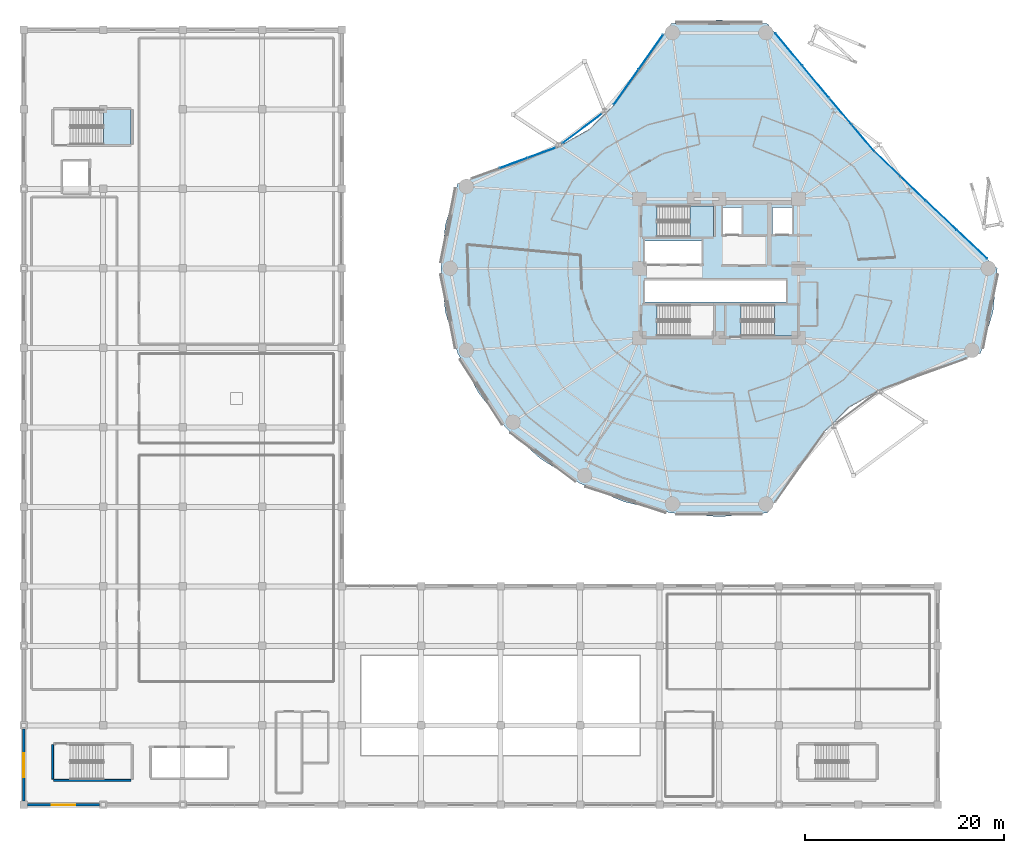
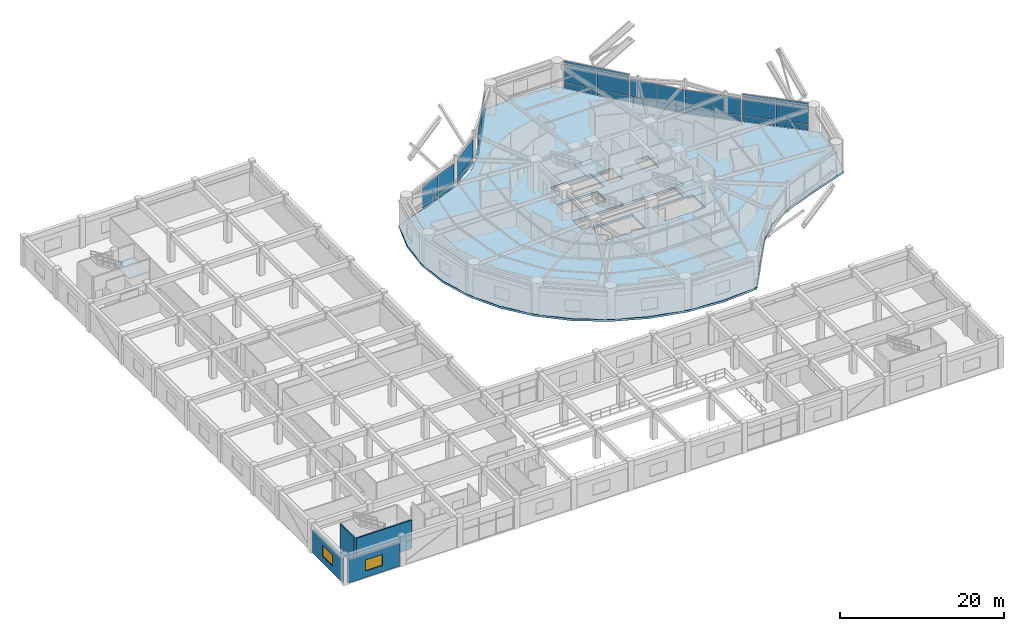
# One storey, part 39 of 55: 30 plates, 4 slabs, 4 walls, 2 windows, 2 openings, 10 elements without a shape of their own.
"""IFC4 building model written with IfcOpenShell, lengths in metres."""

from ifc_helpers import new_model, si_unit, direction, frame, frame_2d, origin, origin_2d, place, context, subcontext, project, spatial, polyline, rectangle, outline, extrude, source, transform, mapped, material, layer, layer_set, type_object, element, fill, aggregate, save


model = new_model("IFC4")

# Units and contexts
model_context = context("Model", 3, precision=1e-05, world=origin(), true_north=direction((0.0, 1.0)))
body_context = subcontext(model_context, "Body", "Model", "MODEL_VIEW")
ifc_project = project(units=[si_unit("LENGTHUNIT", "METRE"), si_unit("AREAUNIT", "SQUARE_METRE"), si_unit("VOLUMEUNIT", "CUBIC_METRE"), si_unit("PLANEANGLEUNIT", "RADIAN"), si_unit("MASSUNIT", "GRAM", prefix="KILO")], contexts=[model_context])

# Site, building, storey
site_placement = place(None, origin())
site = spatial("IfcSite", under=ifc_project, at=site_placement, CompositionType="ELEMENT")
building_placement = place(site_placement, origin())
building = spatial("IfcBuilding", under=site, at=building_placement, Name="Kelanora Arch Commons", CompositionType="ELEMENT")
storey_placement = place(building_placement, frame((0.0, 0.0, 4.5)))
storey = spatial("IfcBuildingStorey", under=building, at=storey_placement, Name="L01", CompositionType="ELEMENT", Elevation=4.5)

# Stair, slab
ifc_material_1 = material(Name="Concrete C40/50", Category="concrete")
stair_type = type_object("IfcStairType", Name="STR-DL-450", PredefinedType="HALF_TURN_STAIR", material=ifc_material_1)
stair_1_placement = place(storey_placement, origin())
stair_1 = element("IfcStair", 1, at=stair_1_placement, inside=storey, type_object=stair_type, Name="L01 ST-T1", PredefinedType="HALF_TURN_STAIR")
ifc_layer_1 = layer(ifc_material_1, 0.199951171875)
ifc_layer_set_1 = layer_set([ifc_layer_1], Name="Concrete C40/50")
slab_type_1 = type_object("IfcSlabType", Name="SLB-STAIR-LND", PredefinedType="LANDING", material=ifc_layer_set_1)
slab_1_placement = place(storey_placement, frame((0.0, 0.0, 2.050048828125)))
slab_1 = element("IfcSlab", 2, at=slab_1_placement, type_object=slab_type_1, Name="ST-T1 landing 1", PredefinedType="LANDING", context=body_context, shape_type="SweptSolid", body=[
    extrude(outline(polyline([(71.080078125, 61.179931640625), (73.43994140625, 61.179931640625), (73.43994140625, 64.2900390625), (71.080078125, 64.2900390625), (71.080078125, 61.179931640625)])), origin(), (0.0, 0.0, 1.0), 0.199951171875),
])
aggregate(stair_1, [slab_1])

stair_2_placement = place(storey_placement, origin())
stair_2 = element("IfcStair", 3, at=stair_2_placement, inside=storey, type_object=stair_type, Name="L01 ST-T2", PredefinedType="HALF_TURN_STAIR")
slab_2_placement = place(storey_placement, frame((0.0, 0.0, 2.050048828125)))
slab_2 = element("IfcSlab", 4, at=slab_2_placement, type_object=slab_type_1, Name="ST-T2 landing 1", PredefinedType="LANDING", context=body_context, shape_type="SweptSolid", body=[
    extrude(outline(polyline([(79.56005859375, 51.179931640625), (81.919921875, 51.179931640625), (81.919921875, 54.2900390625), (79.56005859375, 54.2900390625), (79.56005859375, 51.179931640625)])), origin(), (0.0, 0.0, 1.0), 0.199951171875),
])
aggregate(stair_2, [slab_2])

stair_3_placement = place(storey_placement, origin())
stair_3 = element("IfcStair", 5, at=stair_3_placement, inside=storey, type_object=stair_type, Name="L01 ST-M3", PredefinedType="HALF_TURN_STAIR")
slab_3_placement = place(storey_placement, frame((0.0, 0.0, 2.050048828125)))
slab_3 = element("IfcSlab", 6, at=slab_3_placement, type_object=slab_type_1, Name="ST-M3 landing 1", PredefinedType="LANDING", context=body_context, shape_type="SweptSolid", body=[
    extrude(outline(polyline([(12.0400390625, 70.47998046875), (14.800048828125, 70.47998046875), (14.800048828125, 73.989990234375), (12.0400390625, 73.989990234375), (12.0400390625, 70.47998046875)])), origin(), (0.0, 0.0, 1.0), 0.199951171875),
])
aggregate(stair_3, [slab_3])

# Slab
ifc_layer_2 = layer(ifc_material_1, 0.300048828125)
ifc_layer_set_2 = layer_set([ifc_layer_2], Name="Concrete C40/50")
slab_type_2 = type_object("IfcSlabType", Name="SLB-TWR-POD", PredefinedType="FLOOR", material=ifc_layer_set_2)
slab_4_placement = place(storey_placement, frame((0.0, 0.0, -0.300048828125)))
element("IfcSlab", 7, at=slab_4_placement, inside=storey, type_object=slab_type_2, Name="Tower Floor Slab L01", PredefinedType="FLOOR", context=body_context, shape_type="SweptSolid", body=[
    extrude(outline(polyline([(102.0, 58.0), (97.9521484375, 61.77099609375), (94.83349609375, 64.770263671875), (92.0791015625, 67.319580078125), (89.657958984375, 69.73095703125), (87.418701171875, 72.2783203125), (85.085205078125, 75.14306640625), (82.318603515625, 78.406005859375), (78.862060546875, 82.6201171875), (74.0, 83.0), (69.137939453125, 82.6201171875), (65.908447265625, 77.849365234375), (63.369140625, 74.4404296875), (60.861328125, 71.980224609375), (57.71240234375, 70.202392578125), (53.51171875, 68.5615234375), (47.688720703125, 66.550537109375), (46.42529296875, 62.34130859375), (46.0, 58.0), (46.42529296875, 53.65869140625), (47.688720703125, 49.449462890625), (49.751220703125, 45.5), (52.55078125, 41.930419921875), (56.001953125, 38.848876953125), (60.0, 36.349365234375), (64.42333984375, 34.5078125), (69.137939453125, 33.3798828125), (74.0, 33.0), (78.862060546875, 33.3798828125), (82.091552734375, 38.150634765625), (84.630859375, 41.5595703125), (87.138671875, 44.019775390625), (90.28759765625, 45.797607421875), (94.48828125, 47.4384765625), (100.311279296875, 49.449462890625), (101.57470703125, 53.65869140625), (102.0, 58.0)]), holes=[polyline([(73.431884765625, 51.18798828125), (67.72802734375, 51.18798828125), (67.72802734375, 54.281982421875), (73.431884765625, 54.281982421875), (73.431884765625, 51.18798828125)]), polyline([(76.2080078125, 51.18798828125), (76.2080078125, 54.281982421875), (81.912109375, 54.281982421875), (81.912109375, 51.18798828125), (76.2080078125, 51.18798828125)]), polyline([(66.550048828125, 54.60009765625), (66.550048828125, 56.800048828125), (80.75, 56.800048828125), (80.75, 54.60009765625), (66.550048828125, 54.60009765625)]), polyline([(66.550048828125, 58.449951171875), (66.550048828125, 60.75), (72.25, 60.75), (72.25, 58.449951171875), (66.550048828125, 58.449951171875)]), polyline([(67.72802734375, 61.18798828125), (67.72802734375, 64.281982421875), (73.431884765625, 64.281982421875), (73.431884765625, 61.18798828125), (67.72802734375, 61.18798828125)]), polyline([(74.3798828125, 61.47998046875), (74.3798828125, 64.1201171875), (76.260009765625, 64.1201171875), (76.260009765625, 61.47998046875), (74.3798828125, 61.47998046875)]), polyline([(79.3798828125, 61.47998046875), (79.3798828125, 64.1201171875), (81.320068359375, 64.1201171875), (81.320068359375, 61.47998046875), (79.3798828125, 61.47998046875)])]), origin(), (0.0, 0.0, 1.0), 0.300048828125),
])

# Curtain wall, plates
ifc_material_2 = material(Name="Terracotta ceramic-fritted low-E glass and aluminium", Category="masonry")
ifc_layer_3 = layer(ifc_material_2, 0.2099609375)
ifc_layer_set_3 = layer_set([ifc_layer_3], Name="Terracotta ceramic-fritted low-E glass and aluminium")
curtain_wall_type = type_object("IfcCurtainWallType", Name="CW-SYS-04", PredefinedType="NOTDEFINED", material=ifc_layer_set_3)
curtain_wall_1_placement = place(storey_placement, origin())
curtain_wall_1 = element("IfcCurtainWall", 8, at=curtain_wall_1_placement, inside=storey, type_object=curtain_wall_type, Name="Unitised Curtain Wall L01-B06", PredefinedType="NOTDEFINED")
ifc_material_3 = material(Name="Clear laminated solar-control double glazing", Category="glass")
ifc_layer_4 = layer(ifc_material_3, 0.033935546875)
ifc_layer_set_4 = layer_set([ifc_layer_4], Name="Clear laminated solar-control double glazing")
plate_type = type_object("IfcPlateType", Name="CWP-CLR", PredefinedType="CURTAIN_PANEL", material=ifc_layer_set_4)
shared_shape_1 = source(origin(), body_context, "Body", "SweptSolid", [
    extrude(rectangle(XDim=4.849609375, YDim=0.033935546875, at=origin_2d()), origin(), (0.0, 0.0, 1.0), 0.81005859375),
])
plate_1_placement = place(storey_placement, frame((60.20458984375, 72.069580078125, 0.06005859375), z_axis=(0.0, 0.0, 1.0), x_axis=(-0.80030897426, -0.599587813185, 0.0)))
plate_1 = element("IfcPlate", 9, at=plate_1_placement, type_object=plate_type, Name="CW-04 panel 1.1", PredefinedType="CURTAIN_PANEL", context=body_context, shape_type="MappedRepresentation", body=[
    mapped(shared_shape_1, transform((0.0, 0.0, 0.0), scale=1.0)),
])
shared_shape_2 = source(origin(), body_context, "Body", "SweptSolid", [
    extrude(rectangle(XDim=4.849609375, YDim=0.033935546875, at=origin_2d()), origin(), (0.0, 0.0, 1.0), 2.590087890625),
])
plate_2_placement = place(storey_placement, frame((60.20458984375, 72.069580078125, 0.93017578125), z_axis=(0.0, 0.0, 1.0), x_axis=(-0.80030897426, -0.599587813185, 0.0)))
plate_2 = element("IfcPlate", 10, at=plate_2_placement, type_object=plate_type, Name="CW-04 panel 1.2", PredefinedType="CURTAIN_PANEL", context=body_context, shape_type="MappedRepresentation", body=[
    mapped(shared_shape_2, transform((0.0, 0.0, 0.0), scale=1.0)),
])
aggregate(curtain_wall_1, [plate_1, plate_2])

curtain_wall_2_placement = place(storey_placement, origin())
curtain_wall_2 = element("IfcCurtainWall", 11, at=curtain_wall_2_placement, inside=storey, type_object=curtain_wall_type, Name="Unitised Curtain Wall L01-B00", PredefinedType="NOTDEFINED")
shared_shape_3 = source(origin(), body_context, "Body", "SweptSolid", [
    extrude(rectangle(XDim=4.146240234375, YDim=0.033935546875, at=origin_2d()), origin(), (0.0, 0.0, 1.0), 0.81005859375),
])
plate_3_placement = place(storey_placement, frame((99.452392578125, 60.40673828125, 0.06005859375), z_axis=(0.0, 0.0, 1.0), x_axis=(-0.72692182078, 0.686720224308, 0.0)))
plate_3 = element("IfcPlate", 12, at=plate_3_placement, type_object=plate_type, Name="CW-04 panel 1.1", PredefinedType="CURTAIN_PANEL", context=body_context, shape_type="MappedRepresentation", body=[
    mapped(shared_shape_3, transform((0.0, 0.0, 0.0), scale=1.0)),
])
plate_4_placement = place(storey_placement, frame((96.394775390625, 63.295166015625, 0.06005859375), z_axis=(0.0, 0.0, 1.0), x_axis=(-0.72692182078, 0.686720224308, 0.0)))
plate_4 = element("IfcPlate", 13, at=plate_4_placement, type_object=plate_type, Name="CW-04 panel 2.1", PredefinedType="CURTAIN_PANEL", context=body_context, shape_type="MappedRepresentation", body=[
    mapped(shared_shape_3, transform((0.0, 0.0, 0.0), scale=1.0)),
])
shared_shape_4 = source(origin(), body_context, "Body", "SweptSolid", [
    extrude(rectangle(XDim=4.146240234375, YDim=0.033935546875, at=origin_2d()), origin(), (0.0, 0.0, 1.0), 2.72509765625),
])
plate_5_placement = place(storey_placement, frame((99.452392578125, 60.40673828125, 0.929931640625), z_axis=(0.0, 0.0, 1.0), x_axis=(-0.72692182078, 0.686720224308, 0.0)))
plate_5 = element("IfcPlate", 14, at=plate_5_placement, type_object=plate_type, Name="CW-04 panel 1.2", PredefinedType="CURTAIN_PANEL", context=body_context, shape_type="MappedRepresentation", body=[
    mapped(shared_shape_4, transform((0.0, 0.0, 0.0), scale=1.0)),
])
plate_6_placement = place(storey_placement, frame((96.394775390625, 63.295166015625, 0.929931640625), z_axis=(0.0, 0.0, 1.0), x_axis=(-0.72692182078, 0.686720224308, 0.0)))
plate_6 = element("IfcPlate", 15, at=plate_6_placement, type_object=plate_type, Name="CW-04 panel 2.2", PredefinedType="CURTAIN_PANEL", context=body_context, shape_type="MappedRepresentation", body=[
    mapped(shared_shape_4, transform((0.0, 0.0, 0.0), scale=1.0)),
])
shared_shape_5 = source(origin(), body_context, "Body", "SweptSolid", [
    extrude(rectangle(XDim=4.146240234375, YDim=0.033935546875, at=origin_2d()), origin(), (0.0, 0.0, 1.0), 0.409912109375),
])
plate_7_placement = place(storey_placement, frame((99.452392578125, 60.40673828125, 3.71484375), z_axis=(0.0, 0.0, 1.0), x_axis=(-0.72692182078, 0.686720224308, 0.0)))
plate_7 = element("IfcPlate", 16, at=plate_7_placement, type_object=plate_type, Name="CW-04 panel 1.3", PredefinedType="CURTAIN_PANEL", context=body_context, shape_type="MappedRepresentation", body=[
    mapped(shared_shape_5, transform((0.0, 0.0, 0.0), scale=1.0)),
])
plate_8_placement = place(storey_placement, frame((96.394775390625, 63.295166015625, 3.71484375), z_axis=(0.0, 0.0, 1.0), x_axis=(-0.72692182078, 0.686720224308, 0.0)))
plate_8 = element("IfcPlate", 17, at=plate_8_placement, type_object=plate_type, Name="CW-04 panel 2.3", PredefinedType="CURTAIN_PANEL", context=body_context, shape_type="MappedRepresentation", body=[
    mapped(shared_shape_5, transform((0.0, 0.0, 0.0), scale=1.0)),
])
aggregate(curtain_wall_2, [plate_3, plate_5, plate_7, plate_4, plate_6, plate_8])

curtain_wall_3_placement = place(storey_placement, origin())
curtain_wall_3 = element("IfcCurtainWall", 18, at=curtain_wall_3_placement, inside=storey, type_object=curtain_wall_type, Name="Unitised Curtain Wall L01-B01", PredefinedType="NOTDEFINED")
shared_shape_6 = source(origin(), body_context, "Body", "SweptSolid", [
    extrude(rectangle(XDim=3.4794921875, YDim=0.033935546875, at=origin_2d()), origin(), (0.0, 0.0, 1.0), 0.81005859375),
])
plate_9_placement = place(storey_placement, frame((93.523193359375, 66.026123046875, 0.06005859375), z_axis=(0.0, 0.0, 1.0), x_axis=(-0.721943011302, 0.691952518914, 0.0)))
plate_9 = element("IfcPlate", 19, at=plate_9_placement, type_object=plate_type, Name="CW-04 panel 1.1", PredefinedType="CURTAIN_PANEL", context=body_context, shape_type="MappedRepresentation", body=[
    mapped(shared_shape_6, transform((0.0, 0.0, 0.0), scale=1.0)),
])
plate_10_placement = place(storey_placement, frame((90.968017578125, 68.47509765625, 0.06005859375), z_axis=(0.0, 0.0, 1.0), x_axis=(-0.721943011302, 0.691952518914, 0.0)))
plate_10 = element("IfcPlate", 20, at=plate_10_placement, type_object=plate_type, Name="CW-04 panel 2.1", PredefinedType="CURTAIN_PANEL", context=body_context, shape_type="MappedRepresentation", body=[
    mapped(shared_shape_6, transform((0.0, 0.0, 0.0), scale=1.0)),
])
shared_shape_7 = source(origin(), body_context, "Body", "SweptSolid", [
    extrude(rectangle(XDim=3.4794921875, YDim=0.033935546875, at=origin_2d()), origin(), (0.0, 0.0, 1.0), 2.590087890625),
])
plate_11_placement = place(storey_placement, frame((93.523193359375, 66.026123046875, 0.93017578125), z_axis=(0.0, 0.0, 1.0), x_axis=(-0.721943011302, 0.691952518914, 0.0)))
plate_11 = element("IfcPlate", 21, at=plate_11_placement, type_object=plate_type, Name="CW-04 panel 1.2", PredefinedType="CURTAIN_PANEL", context=body_context, shape_type="MappedRepresentation", body=[
    mapped(shared_shape_7, transform((0.0, 0.0, 0.0), scale=1.0)),
])
plate_12_placement = place(storey_placement, frame((90.968017578125, 68.47509765625, 0.93017578125), z_axis=(0.0, 0.0, 1.0), x_axis=(-0.721943011302, 0.691952518914, 0.0)))
plate_12 = element("IfcPlate", 22, at=plate_12_placement, type_object=plate_type, Name="CW-04 panel 2.2", PredefinedType="CURTAIN_PANEL", context=body_context, shape_type="MappedRepresentation", body=[
    mapped(shared_shape_7, transform((0.0, 0.0, 0.0), scale=1.0)),
])
aggregate(curtain_wall_3, [plate_9, plate_11, plate_10, plate_12])

curtain_wall_4_placement = place(storey_placement, origin())
curtain_wall_4 = element("IfcCurtainWall", 23, at=curtain_wall_4_placement, inside=storey, type_object=curtain_wall_type, Name="Unitised Curtain Wall L01-B02", PredefinedType="NOTDEFINED")
shared_shape_8 = source(origin(), body_context, "Body", "SweptSolid", [
    extrude(rectangle(XDim=3.4375, YDim=0.033935546875, at=origin_2d()), origin(), (0.0, 0.0, 1.0), 0.81005859375),
])
plate_13_placement = place(storey_placement, frame((88.500244140625, 71.10107421875, 0.06005859375), z_axis=(0.0, 0.0, 1.0), x_axis=(-0.645388011752, 0.763854903949, 0.0)))
plate_13 = element("IfcPlate", 24, at=plate_13_placement, type_object=plate_type, Name="CW-04 panel 1.1", PredefinedType="CURTAIN_PANEL", context=body_context, shape_type="MappedRepresentation", body=[
    mapped(shared_shape_8, transform((0.0, 0.0, 0.0), scale=1.0)),
])
plate_14_placement = place(storey_placement, frame((86.242919921875, 73.772705078125, 0.06005859375), z_axis=(0.0, 0.0, 1.0), x_axis=(-0.645388011752, 0.763854903949, 0.0)))
plate_14 = element("IfcPlate", 25, at=plate_14_placement, type_object=plate_type, Name="CW-04 panel 2.1", PredefinedType="CURTAIN_PANEL", context=body_context, shape_type="MappedRepresentation", body=[
    mapped(shared_shape_8, transform((0.0, 0.0, 0.0), scale=1.0)),
])
shared_shape_9 = source(origin(), body_context, "Body", "SweptSolid", [
    extrude(rectangle(XDim=3.4375, YDim=0.033935546875, at=origin_2d()), origin(), (0.0, 0.0, 1.0), 2.590087890625),
])
plate_15_placement = place(storey_placement, frame((88.500244140625, 71.10107421875, 0.93017578125), z_axis=(0.0, 0.0, 1.0), x_axis=(-0.645388011752, 0.763854903949, 0.0)))
plate_15 = element("IfcPlate", 26, at=plate_15_placement, type_object=plate_type, Name="CW-04 panel 1.2", PredefinedType="CURTAIN_PANEL", context=body_context, shape_type="MappedRepresentation", body=[
    mapped(shared_shape_9, transform((0.0, 0.0, 0.0), scale=1.0)),
])
plate_16_placement = place(storey_placement, frame((86.242919921875, 73.772705078125, 0.93017578125), z_axis=(0.0, 0.0, 1.0), x_axis=(-0.645388011752, 0.763854903949, 0.0)))
plate_16 = element("IfcPlate", 27, at=plate_16_placement, type_object=plate_type, Name="CW-04 panel 2.2", PredefinedType="CURTAIN_PANEL", context=body_context, shape_type="MappedRepresentation", body=[
    mapped(shared_shape_9, transform((0.0, 0.0, 0.0), scale=1.0)),
])
aggregate(curtain_wall_4, [plate_13, plate_15, plate_14, plate_16])

curtain_wall_5_placement = place(storey_placement, origin())
curtain_wall_5 = element("IfcCurtainWall", 28, at=curtain_wall_5_placement, inside=storey, type_object=curtain_wall_type, Name="Unitised Curtain Wall L01-B03", PredefinedType="NOTDEFINED")
shared_shape_10 = source(origin(), body_context, "Body", "SweptSolid", [
    extrude(rectangle(XDim=4.1533203125, YDim=0.033935546875, at=origin_2d()), origin(), (0.0, 0.0, 1.0), 0.81005859375),
])
plate_17_placement = place(storey_placement, frame((83.708740234375, 76.796875, 0.06005859375), z_axis=(0.0, 0.0, 1.0), x_axis=(-0.639702125211, 0.768622918602, 0.0)))
plate_17 = element("IfcPlate", 29, at=plate_17_placement, type_object=plate_type, Name="CW-04 panel 1.1", PredefinedType="CURTAIN_PANEL", context=body_context, shape_type="MappedRepresentation", body=[
    mapped(shared_shape_10, transform((0.0, 0.0, 0.0), scale=1.0)),
])
plate_18_placement = place(storey_placement, frame((81.013427734375, 80.03515625, 0.06005859375), z_axis=(0.0, 0.0, 1.0), x_axis=(-0.639702125211, 0.768622918602, 0.0)))
plate_18 = element("IfcPlate", 30, at=plate_18_placement, type_object=plate_type, Name="CW-04 panel 2.1", PredefinedType="CURTAIN_PANEL", context=body_context, shape_type="MappedRepresentation", body=[
    mapped(shared_shape_10, transform((0.0, 0.0, 0.0), scale=1.0)),
])
shared_shape_11 = source(origin(), body_context, "Body", "SweptSolid", [
    extrude(rectangle(XDim=4.1533203125, YDim=0.033935546875, at=origin_2d()), origin(), (0.0, 0.0, 1.0), 2.72509765625),
])
plate_19_placement = place(storey_placement, frame((83.708740234375, 76.796875, 0.929931640625), z_axis=(0.0, 0.0, 1.0), x_axis=(-0.639702125211, 0.768622918602, 0.0)))
plate_19 = element("IfcPlate", 31, at=plate_19_placement, type_object=plate_type, Name="CW-04 panel 1.2", PredefinedType="CURTAIN_PANEL", context=body_context, shape_type="MappedRepresentation", body=[
    mapped(shared_shape_11, transform((0.0, 0.0, 0.0), scale=1.0)),
])
plate_20_placement = place(storey_placement, frame((81.013427734375, 80.03515625, 0.929931640625), z_axis=(0.0, 0.0, 1.0), x_axis=(-0.639702125211, 0.768622918602, 0.0)))
plate_20 = element("IfcPlate", 32, at=plate_20_placement, type_object=plate_type, Name="CW-04 panel 2.2", PredefinedType="CURTAIN_PANEL", context=body_context, shape_type="MappedRepresentation", body=[
    mapped(shared_shape_11, transform((0.0, 0.0, 0.0), scale=1.0)),
])
shared_shape_12 = source(origin(), body_context, "Body", "SweptSolid", [
    extrude(rectangle(XDim=4.1533203125, YDim=0.033935546875, at=origin_2d()), origin(), (0.0, 0.0, 1.0), 0.409912109375),
])
plate_21_placement = place(storey_placement, frame((83.708740234375, 76.796875, 3.71484375), z_axis=(0.0, 0.0, 1.0), x_axis=(-0.639702125211, 0.768622918602, 0.0)))
plate_21 = element("IfcPlate", 33, at=plate_21_placement, type_object=plate_type, Name="CW-04 panel 1.3", PredefinedType="CURTAIN_PANEL", context=body_context, shape_type="MappedRepresentation", body=[
    mapped(shared_shape_12, transform((0.0, 0.0, 0.0), scale=1.0)),
])
plate_22_placement = place(storey_placement, frame((81.013427734375, 80.03515625, 3.71484375), z_axis=(0.0, 0.0, 1.0), x_axis=(-0.639702125211, 0.768622918602, 0.0)))
plate_22 = element("IfcPlate", 34, at=plate_22_placement, type_object=plate_type, Name="CW-04 panel 2.3", PredefinedType="CURTAIN_PANEL", context=body_context, shape_type="MappedRepresentation", body=[
    mapped(shared_shape_12, transform((0.0, 0.0, 0.0), scale=1.0)),
])
aggregate(curtain_wall_5, [plate_17, plate_19, plate_21, plate_18, plate_20, plate_22])

curtain_wall_6_placement = place(storey_placement, origin())
curtain_wall_6 = element("IfcCurtainWall", 35, at=curtain_wall_6_placement, inside=storey, type_object=curtain_wall_type, Name="Unitised Curtain Wall L01-B05", PredefinedType="NOTDEFINED")
shared_shape_13 = source(origin(), body_context, "Body", "SweptSolid", [
    extrude(rectangle(XDim=4.241455078125, YDim=0.033935546875, at=origin_2d()), origin(), (0.0, 0.0, 1.0), 0.81005859375),
])
plate_23_placement = place(storey_placement, frame((67.113525390625, 79.749755859375, 0.06005859375), z_axis=(0.0, 0.0, 1.0), x_axis=(-0.576345499922, -0.817206133555, 0.0)))
plate_23 = element("IfcPlate", 36, at=plate_23_placement, type_object=plate_type, Name="CW-04 panel 1.1", PredefinedType="CURTAIN_PANEL", context=body_context, shape_type="MappedRepresentation", body=[
    mapped(shared_shape_13, transform((0.0, 0.0, 0.0), scale=1.0)),
])
plate_24_placement = place(storey_placement, frame((64.634521484375, 76.23486328125, 0.06005859375), z_axis=(0.0, 0.0, 1.0), x_axis=(-0.576345499922, -0.817206133555, 0.0)))
plate_24 = element("IfcPlate", 37, at=plate_24_placement, type_object=plate_type, Name="CW-04 panel 2.1", PredefinedType="CURTAIN_PANEL", context=body_context, shape_type="MappedRepresentation", body=[
    mapped(shared_shape_13, transform((0.0, 0.0, 0.0), scale=1.0)),
])
shared_shape_14 = source(origin(), body_context, "Body", "SweptSolid", [
    extrude(rectangle(XDim=4.241455078125, YDim=0.033935546875, at=origin_2d()), origin(), (0.0, 0.0, 1.0), 2.590087890625),
])
plate_25_placement = place(storey_placement, frame((67.113525390625, 79.749755859375, 0.93017578125), z_axis=(0.0, 0.0, 1.0), x_axis=(-0.576345499922, -0.817206133555, 0.0)))
plate_25 = element("IfcPlate", 38, at=plate_25_placement, type_object=plate_type, Name="CW-04 panel 1.2", PredefinedType="CURTAIN_PANEL", context=body_context, shape_type="MappedRepresentation", body=[
    mapped(shared_shape_14, transform((0.0, 0.0, 0.0), scale=1.0)),
])
plate_26_placement = place(storey_placement, frame((64.634521484375, 76.23486328125, 0.93017578125), z_axis=(0.0, 0.0, 1.0), x_axis=(-0.576345499922, -0.817206133555, 0.0)))
plate_26 = element("IfcPlate", 39, at=plate_26_placement, type_object=plate_type, Name="CW-04 panel 2.2", PredefinedType="CURTAIN_PANEL", context=body_context, shape_type="MappedRepresentation", body=[
    mapped(shared_shape_14, transform((0.0, 0.0, 0.0), scale=1.0)),
])
aggregate(curtain_wall_6, [plate_23, plate_25, plate_24, plate_26])

curtain_wall_7_placement = place(storey_placement, origin())
curtain_wall_7 = element("IfcCurtainWall", 40, at=curtain_wall_7_placement, inside=storey, type_object=curtain_wall_type, Name="Unitised Curtain Wall L01-B07", PredefinedType="NOTDEFINED")
shared_shape_15 = source(origin(), body_context, "Body", "SweptSolid", [
    extrude(rectangle(XDim=2.9296875, YDim=0.033935546875, at=origin_2d()), origin(), (0.0, 0.0, 1.0), 0.81005859375),
])
plate_27_placement = place(storey_placement, frame((56.1220703125, 69.623046875, 0.06005859375), z_axis=(0.0, 0.0, 1.0), x_axis=(-0.939584077951, -0.342318215206, 0.0)))
plate_27 = element("IfcPlate", 41, at=plate_27_placement, type_object=plate_type, Name="CW-04 panel 1.1", PredefinedType="CURTAIN_PANEL", context=body_context, shape_type="MappedRepresentation", body=[
    mapped(shared_shape_15, transform((0.0, 0.0, 0.0), scale=1.0)),
])
shared_shape_16 = source(origin(), body_context, "Body", "SweptSolid", [
    extrude(rectangle(XDim=2.9296875, YDim=0.033935546875, at=origin_2d()), origin(), (0.0, 0.0, 1.0), 2.590087890625),
])
plate_28_placement = place(storey_placement, frame((56.1220703125, 69.623046875, 0.93017578125), z_axis=(0.0, 0.0, 1.0), x_axis=(-0.939584077951, -0.342318215206, 0.0)))
plate_28 = element("IfcPlate", 42, at=plate_28_placement, type_object=plate_type, Name="CW-04 panel 1.2", PredefinedType="CURTAIN_PANEL", context=body_context, shape_type="MappedRepresentation", body=[
    mapped(shared_shape_16, transform((0.0, 0.0, 0.0), scale=1.0)),
])
shared_shape_17 = source(origin(), body_context, "Body", "SweptSolid", [
    extrude(rectangle(XDim=2.959716796875, YDim=0.033935546875, at=origin_2d()), origin(), (0.0, 0.0, 1.0), 0.81005859375),
])
plate_29_placement = place(storey_placement, frame((53.298828125, 68.594482421875, 0.06005859375), z_axis=(0.0, 0.0, 1.0), x_axis=(-0.939584077951, -0.342318215206, 0.0)))
plate_29 = element("IfcPlate", 43, at=plate_29_placement, type_object=plate_type, Name="CW-04 panel 2.1", PredefinedType="CURTAIN_PANEL", context=body_context, shape_type="MappedRepresentation", body=[
    mapped(shared_shape_17, transform((0.0, 0.0, 0.0), scale=1.0)),
])
shared_shape_18 = source(origin(), body_context, "Body", "SweptSolid", [
    extrude(rectangle(XDim=2.959716796875, YDim=0.033935546875, at=origin_2d()), origin(), (0.0, 0.0, 1.0), 2.590087890625),
])
plate_30_placement = place(storey_placement, frame((53.298828125, 68.594482421875, 0.93017578125), z_axis=(0.0, 0.0, 1.0), x_axis=(-0.939584077951, -0.342318215206, 0.0)))
plate_30 = element("IfcPlate", 44, at=plate_30_placement, type_object=plate_type, Name="CW-04 panel 2.2", PredefinedType="CURTAIN_PANEL", context=body_context, shape_type="MappedRepresentation", body=[
    mapped(shared_shape_18, transform((0.0, 0.0, 0.0), scale=1.0)),
])
aggregate(curtain_wall_7, [plate_27, plate_28, plate_29, plate_30])

# Wall, opening, window
ifc_material_4 = material(Name="Precast concrete C40/50 with terracotta ceramic cladding", Category="masonry")
ifc_layer_5 = layer(ifc_material_4, 0.25)
ifc_layer_set_5 = layer_set([ifc_layer_5], Name="Precast concrete C40/50 with terracotta ceramic cladding")
wall_type_1 = type_object("IfcWallType", Name="W-EXT-MKT", PredefinedType="SOLIDWALL", material=ifc_layer_set_5)
wall_1_placement = place(storey_placement, frame((4.3798828125, 4.0, 0.0), z_axis=(0.0, 0.0, 1.0), x_axis=(1.0, 0.0, 0.0)))
wall_1 = element("IfcWall", 45, at=wall_1_placement, inside=storey, type_object=wall_type_1, Name="Market Hall Exterior Wall L01-00", PredefinedType="SOLIDWALL", context=body_context, shape_type="SweptSolid", body=[
    extrude(rectangle(XDim=7.240234375, YDim=0.25, at=frame_2d((3.6201171875, 0.0))), origin(), (0.0, 0.0, 1.0), 3.419921875),
])
opening_1_placement = place(wall_1_placement, frame((2.419921875, 0.0, 0.949951171875)))
opening_1 = element("IfcOpeningElement", 46, at=opening_1_placement, cuts=wall_1, Name="Opening WN-03", PredefinedType="OPENING", context=body_context, shape_type="SweptSolid", body=[
    extrude(rectangle(XDim=2.39990234375, YDim=1.64990234375, at=frame_2d((1.199951171875, 0.824951171875))), frame((0.0, 0.135009765625, 0.0), z_axis=(0.0, -1.0, 0.0), x_axis=(1.0, 0.0, 0.0)), (0.0, 0.0, 1.0), 0.27001953125),
])
ifc_material_5 = material(Name="Bronze-terracotta aluminium monsoon clerestory window", Category="masonry")
window_type = type_object("IfcWindowType", Name="WIN-MKT-24", PartitioningType="TRIPLE_PANEL_VERTICAL", PredefinedType="WINDOW", material=ifc_material_5)
window_1_placement = place(opening_1_placement, origin())
window_1 = element("IfcWindow", 47, at=window_1_placement, inside=storey, type_object=window_type, Name="Market Hall Clerestory Window L01-00", OverallHeight=1.64990234375, OverallWidth=2.39990234375, PartitioningType="SINGLE_PANEL", PredefinedType="WINDOW", context=body_context, shape_type="SweptSolid", body=[
    extrude(rectangle(XDim=2.39990234375, YDim=1.64990234375, at=frame_2d((1.199951171875, 0.824951171875))), frame((0.0, 0.030029296875, 0.0), z_axis=(0.0, -1.0, 0.0), x_axis=(1.0, 0.0, 0.0)), (0.0, 0.0, 1.0), 0.06005859375),
])
fill(opening_1, window_1)

wall_2_placement = place(storey_placement, frame((4.0, 11.6201171875, 0.0), z_axis=(0.0, 0.0, 1.0), x_axis=(0.0, -1.0, 0.0)))
wall_2 = element("IfcWall", 48, at=wall_2_placement, inside=storey, type_object=wall_type_1, Name="Market Hall Exterior Wall L01-43", PredefinedType="SOLIDWALL", context=body_context, shape_type="SweptSolid", body=[
    extrude(rectangle(XDim=7.240234375, YDim=0.25, at=frame_2d((3.6201171875, 0.0))), origin(), (0.0, 0.0, 1.0), 3.419921875),
])
opening_2_placement = place(wall_2_placement, frame((2.419921875, 0.0, 0.949951171875)))
opening_2 = element("IfcOpeningElement", 49, at=opening_2_placement, cuts=wall_2, Name="Opening WN-03", PredefinedType="OPENING", context=body_context, shape_type="SweptSolid", body=[
    extrude(rectangle(XDim=2.39990234375, YDim=1.64990234375, at=frame_2d((1.199951171875, 0.824951171875))), frame((0.0, 0.135009765625, 0.0), z_axis=(0.0, -1.0, 0.0), x_axis=(1.0, 0.0, 0.0)), (0.0, 0.0, 1.0), 0.27001953125),
])
window_2_placement = place(opening_2_placement, origin())
window_2 = element("IfcWindow", 50, at=window_2_placement, inside=storey, type_object=window_type, Name="Market Hall Clerestory Window L01-43", OverallHeight=1.64990234375, OverallWidth=2.39990234375, PartitioningType="SINGLE_PANEL", PredefinedType="WINDOW", context=body_context, shape_type="SweptSolid", body=[
    extrude(rectangle(XDim=2.39990234375, YDim=1.64990234375, at=frame_2d((1.199951171875, 0.824951171875))), frame((0.0, 0.030029296875, 0.0), z_axis=(0.0, -1.0, 0.0), x_axis=(1.0, 0.0, 0.0)), (0.0, 0.0, 1.0), 0.06005859375),
])
fill(opening_2, window_2)

# Walls
ifc_layer_6 = layer(ifc_material_1, 0.199951171875)
ifc_layer_set_6 = layer_set([ifc_layer_6], Name="Concrete C40/50")
wall_type_2 = type_object("IfcWallType", Name="W-STAIR-200", PredefinedType="SHEAR", material=ifc_layer_set_6)
wall_3_placement = place(storey_placement, frame((7.02001953125, 6.4599609375, 0.0), z_axis=(0.0, 0.0, 1.0), x_axis=(1.0, 0.0, 0.0)))
element("IfcWall", 51, at=wall_3_placement, inside=storey, type_object=wall_type_2, Name="Stair ST-M1 Shaft Wall S L01", PredefinedType="SHEAR", context=body_context, shape_type="SweptSolid", body=[
    extrude(rectangle(XDim=7.760009765625, YDim=0.199951171875, at=frame_2d((3.8798828125, 0.0))), origin(), (0.0, 0.0, 1.0), 4.239990234375),
])
wall_4_placement = place(storey_placement, frame((6.89990234375, 10.050048828125, 0.0), z_axis=(0.0, 0.0, 1.0), x_axis=(0.0, -1.0, 0.0)))
element("IfcWall", 52, at=wall_4_placement, inside=storey, type_object=wall_type_2, Name="Stair ST-M1 Shaft Wall W L01", PredefinedType="SHEAR", context=body_context, shape_type="SweptSolid", body=[
    extrude(rectangle(XDim=3.469970703125, YDim=0.199951171875, at=frame_2d((1.73486328125, 0.0))), origin(), (0.0, 0.0, 1.0), 4.239990234375),
])

save(model, "model.ifc")
